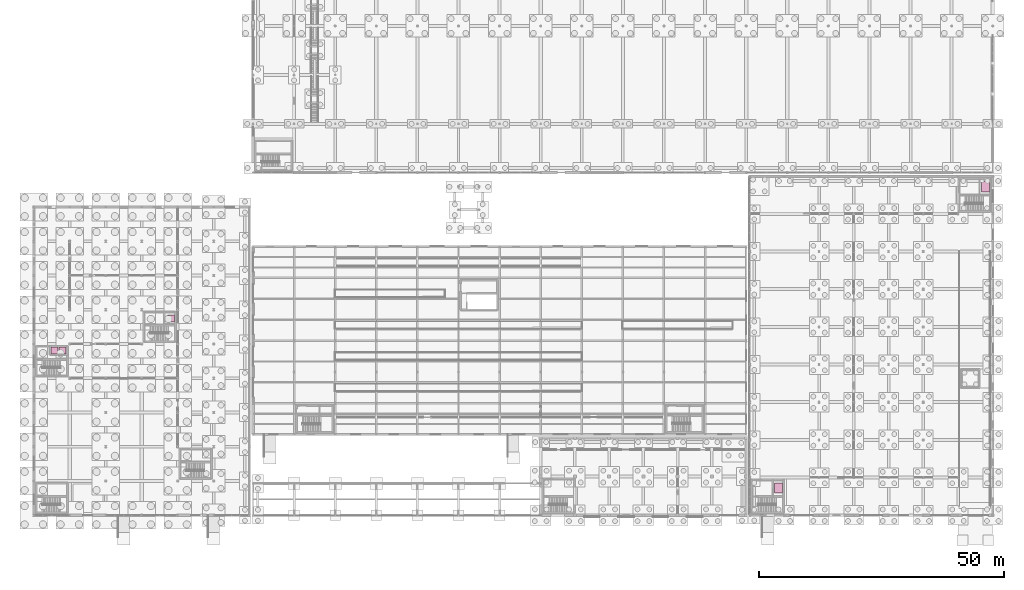
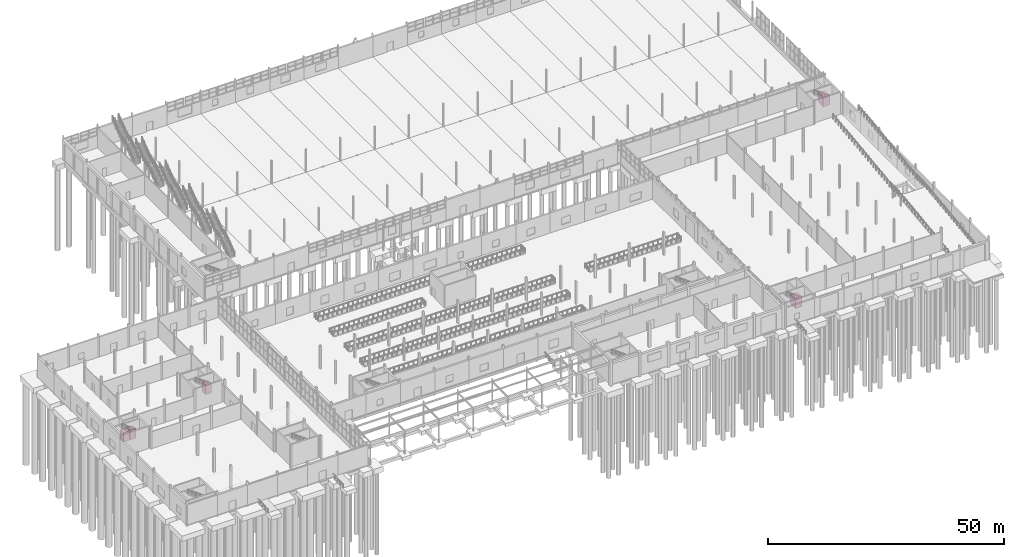
# One storey, part 139 of 139: 5 transport elements.
"""IFC4 building model written with IfcOpenShell, lengths in metres."""

import ifcopenshell
import ifcopenshell.guid

model = None  # the IFC model being written
_history = None  # IfcOwnerHistory: only IFC2X3 demands one
_inside = {}  # id of a spatial element -> (the spatial element, [elements in it])
_under = {}  # id of a project, library or spatial element -> (it, [spatial elements below it])
_declared = {}  # id of a project -> (the project, [libraries it declares])
_typed = {}  # id of a type object -> (the type object, [elements of that type])
_made_of = {}  # id of a material, layer set ... -> (it, [elements and type objects made of it])


def new_model(schema):
    """Start an empty IFC model of exactly this schema.

    Asked for "IFC4X3", IfcOpenShell would pick the latest addendum, in which some entities
    have other attributes; the version numbers below select the first issue.
    IFC2X3 requires an IfcOwnerHistory on every rooted entity: one is made here for all.
    """
    global model, _history
    if schema == "IFC4X3":
        model = ifcopenshell.file(schema_version=(4, 3, 0, 0))
    else:
        model = ifcopenshell.file(schema=schema)
    _inside.clear()
    _under.clear()
    _declared.clear()
    _typed.clear()
    _made_of.clear()
    _history = None
    if model.schema == "IFC2X3":
        org = make("IfcOrganization", Name="unknown")
        user = make(
            "IfcPersonAndOrganization",
            ThePerson=make("IfcPerson", FamilyName="unknown"),
            TheOrganization=org,
        )
        app = make(
            "IfcApplication",
            ApplicationDeveloper=org,
            Version="unknown",
            ApplicationFullName="unknown",
            ApplicationIdentifier="unknown",
        )
        _history = make(
            "IfcOwnerHistory",
            OwningUser=user,
            OwningApplication=app,
            ChangeAction="ADDED",
            CreationDate=0,
        )
    return model


def make(cls, **values):
    """One entity of the class cls with the attributes given. An attribute that is None is left unset."""
    return model.create_entity(
        cls, **{name: value for name, value in values.items() if value is not None}
    )


def rooted(cls, **values):
    """An entity with a GlobalId (a new one), such as an element, a storey or a relation."""
    return make(cls, GlobalId=ifcopenshell.guid.new(), OwnerHistory=_history, **values)


def si_unit(unit_type, name, prefix=None):
    """IfcSIUnit, for example si_unit("LENGTHUNIT", "METRE", prefix="MILLI")."""
    return make("IfcSIUnit", UnitType=unit_type, Prefix=prefix, Name=name)


def assignment(units):
    """IfcUnitAssignment: the units of a project."""
    return None if units is None else make("IfcUnitAssignment", Units=units)


def point(xyz):
    """IfcCartesianPoint."""
    return None if xyz is None else make("IfcCartesianPoint", Coordinates=xyz)


def direction(xyz):
    """IfcDirection."""
    return None if xyz is None else make("IfcDirection", DirectionRatios=xyz)


def frame(location, z_axis=None, x_axis=None):
    """IfcAxis2Placement3D, a coordinate frame: its origin and axes. An axis left out is left unset."""
    return make(
        "IfcAxis2Placement3D",
        Location=point(location),
        Axis=direction(z_axis),
        RefDirection=direction(x_axis),
    )


def frame_2d(location, x_axis=None):
    """IfcAxis2Placement2D, a coordinate frame in the plane: its origin and x axis."""
    return make(
        "IfcAxis2Placement2D", Location=point(location), RefDirection=direction(x_axis)
    )


def origin():
    """The frame at (0, 0, 0) with its axes left unset."""
    return frame((0.0, 0.0, 0.0))


def origin_2d():
    """The frame at (0, 0) in the plane with its x axis left unset."""
    return frame_2d((0.0, 0.0))


def place(relative_to, where):
    """IfcLocalPlacement: puts the frame where relative to a parent placement (None: the world)."""
    return make(
        "IfcLocalPlacement", PlacementRelTo=relative_to, RelativePlacement=where
    )


def context(
    kind, dimensions, precision=None, world=None, true_north=None, identifier=None
):
    """IfcGeometricRepresentationContext, for example the 3D "Model" context."""
    return make(
        "IfcGeometricRepresentationContext",
        ContextIdentifier=identifier,
        ContextType=kind,
        CoordinateSpaceDimension=dimensions,
        Precision=precision,
        WorldCoordinateSystem=world,
        TrueNorth=true_north,
    )


def subcontext(parent, identifier, kind, view, scale=None):
    """IfcGeometricRepresentationSubContext, for example "Body" below "Model"."""
    return make(
        "IfcGeometricRepresentationSubContext",
        ContextIdentifier=identifier,
        ContextType=kind,
        ParentContext=parent,
        TargetScale=scale,
        TargetView=view,
    )


def project(units=None, contexts=None):
    """IfcProject with its units and contexts."""
    return rooted(
        "IfcProject",
        Name="project",
        RepresentationContexts=contexts,
        UnitsInContext=assignment(units),
    )


def spatial(cls, under=None, at=None, **own):
    """A site, building, storey or space (cls), placed at a placement, below another one or the project."""
    s = rooted(cls, ObjectPlacement=at, **own)
    if under is not None:
        _under.setdefault(under.id(), (under, []))[1].append(s)
    return s


def profile(cls, at=None, kind="AREA", **sizes):
    """A parametric profile (cls). Its sizes go by their IFC names, for example OverallWidth=200.0."""
    return make(cls, ProfileType=kind, Position=at, **sizes)


def rectangle(**sizes):
    """IfcRectangleProfileDef."""
    return profile("IfcRectangleProfileDef", **sizes)


def extrude(swept, where, along, depth):
    """IfcExtrudedAreaSolid: the profile swept, set in the frame where, extruded along a direction by depth."""
    return make(
        "IfcExtrudedAreaSolid",
        SweptArea=swept,
        Position=where,
        ExtrudedDirection=direction(along),
        Depth=depth,
    )


def shape(context_of_items, identifier, shape_type, items):
    """IfcShapeRepresentation: the items that make up one representation, for example the "Body"."""
    return make(
        "IfcShapeRepresentation",
        ContextOfItems=context_of_items,
        RepresentationIdentifier=identifier,
        RepresentationType=shape_type,
        Items=items,
    )


def material(Name=None, Category=None):
    """IfcMaterial."""
    return make("IfcMaterial", Name=Name, Category=Category)


def made_of(thing, what):
    """Note that an element or type object is made of a material, layer set ...; save() writes the relation."""
    if what is not None:
        _made_of.setdefault(what.id(), (what, []))[1].append(thing)
    return thing


def type_object(cls, material=None, **own):
    """A type object (cls), such as IfcWallType, which elements share."""
    return made_of(rooted(cls, **own), material)


def element(
    cls,
    number,
    at=None,
    inside=None,
    cuts=None,
    type_object=None,
    material=None,
    context=None,
    identifier="Body",
    shape_type=None,
    held_by="IfcProductDefinitionShape",
    body=None,
    shapes=None,
    **own,
):
    """One element of the class cls, such as IfcWall. Its Tag is "e" and its number.

    at: its placement. inside: the storey or other place that contains it. cuts: it is an
    opening in that element (IfcRelVoidsElement). A single representation is given by context,
    identifier, shape_type and body (its items); several are given by shapes. held_by: the class
    of the entity that holds the representations. save() writes the other relations.
    """
    e = rooted(cls, Tag="e%d" % number, ObjectPlacement=at, **own)
    if body is not None:
        shapes = [shape(context, identifier, shape_type, body)]
    if shapes is not None:
        e.Representation = make(held_by, Representations=shapes)
    if inside is not None:
        _inside.setdefault(inside.id(), (inside, []))[1].append(e)
    if cuts is not None:
        rooted(
            "IfcRelVoidsElement", RelatingBuildingElement=cuts, RelatedOpeningElement=e
        )
    if type_object is not None:
        _typed.setdefault(type_object.id(), (type_object, []))[1].append(e)
    return made_of(e, material)


def aggregate(whole, parts):
    """IfcRelAggregates: a whole, such as a stair, and the parts it consists of."""
    return rooted("IfcRelAggregates", RelatingObject=whole, RelatedObjects=parts)


def save(model, path):
    """Write the relations noted so far, then the file.

    IfcRelAggregates (storeys below a building ...), IfcRelContainedInSpatialStructure (elements
    in a storey), IfcRelDefinesByType, IfcRelAssociatesMaterial and IfcRelDeclares: one each for
    every whole, place, type object, material and project.
    """
    for whole, parts in _under.values():
        aggregate(whole, parts)
    for where, things in _inside.values():
        rooted(
            "IfcRelContainedInSpatialStructure",
            RelatedElements=things,
            RelatingStructure=where,
        )
    for kind, things in _typed.values():
        rooted("IfcRelDefinesByType", RelatedObjects=things, RelatingType=kind)
    for what, things in _made_of.values():
        rooted("IfcRelAssociatesMaterial", RelatedObjects=things, RelatingMaterial=what)
    for by, libraries in _declared.values():
        rooted("IfcRelDeclares", RelatingContext=by, RelatedDefinitions=libraries)
    model.write(path)


model = new_model("IFC4")

# Units and contexts
model_context = context("Model", 3, precision=1e-05, world=origin(), true_north=direction((0.0, 1.0)))
body_context = subcontext(model_context, "Body", "Model", "MODEL_VIEW")
ifc_project = project(units=[si_unit("LENGTHUNIT", "METRE"), si_unit("AREAUNIT", "SQUARE_METRE"), si_unit("VOLUMEUNIT", "CUBIC_METRE"), si_unit("PLANEANGLEUNIT", "RADIAN"), si_unit("MASSUNIT", "GRAM", prefix="KILO")], contexts=[model_context])

# Site, building, storey
site_placement = place(None, origin())
site = spatial("IfcSite", under=ifc_project, at=site_placement, CompositionType="ELEMENT")
building_placement = place(site_placement, origin())
building = spatial("IfcBuilding", under=site, at=building_placement, Name="Kazenagashi Tramway Depot", CompositionType="ELEMENT")
storey_placement = place(building_placement, origin())
storey = spatial("IfcBuildingStorey", under=building, at=storey_placement, Name="L01", CompositionType="ELEMENT", Elevation=0.0)

# Transport elements
ifc_material = material(Name="Brushed Stainless Steel Cab", Category="steel")
transport_element_type_1 = type_object("IfcTransportElementType", Name="LF-T1", PredefinedType="ELEVATOR", material=ifc_material)
for number, where, z_axis, x_axis, name in (
    (1, (4.24, 33.69, 0.0), (0.0, 0.0, 1.0), (1.0, 0.0, 0.0), "Elevator LF-01"),
    (2, (5.89, 33.69, 0.0), (0.0, 0.0, 1.0), (1.0, 0.0, 0.0), "Elevator LF-02"),
    (3, (28.015, 40.195, 0.0), (0.0, 0.0, 1.0), (1.0, 0.0, 0.0), "Elevator LF-03"),
):
    element("IfcTransportElement", number, at=place(storey_placement, frame(where, z_axis=z_axis, x_axis=x_axis)), inside=storey, type_object=transport_element_type_1, Name=name, PredefinedType="ELEVATOR", context=body_context, shape_type="SweptSolid", body=[
        extrude(rectangle(XDim=1.45, YDim=1.4, at=origin_2d()), origin(), (0.0, 0.0, 1.0), 2.45),
    ])
transport_element_type_2 = type_object("IfcTransportElementType", Name="LF-T3", PredefinedType="ELEVATOR", material=ifc_material)
for number, where, z_axis, x_axis, name in (
    (4, (152.24, 5.545, 0.0), (0.0, 0.0, 1.0), (1.0, 0.0, 0.0), "Elevator LF-06"),
    (5, (194.54, 67.145, 0.0), (0.0, 0.0, 1.0), (1.0, 0.0, 0.0), "Elevator LF-07"),
):
    element("IfcTransportElement", number, at=place(storey_placement, frame(where, z_axis=z_axis, x_axis=x_axis)), inside=storey, type_object=transport_element_type_2, Name=name, PredefinedType="ELEVATOR", context=body_context, shape_type="SweptSolid", body=[
        extrude(rectangle(XDim=1.6, YDim=2.1, at=origin_2d()), origin(), (0.0, 0.0, 1.0), 2.45),
    ])

save(model, "model.ifc")
